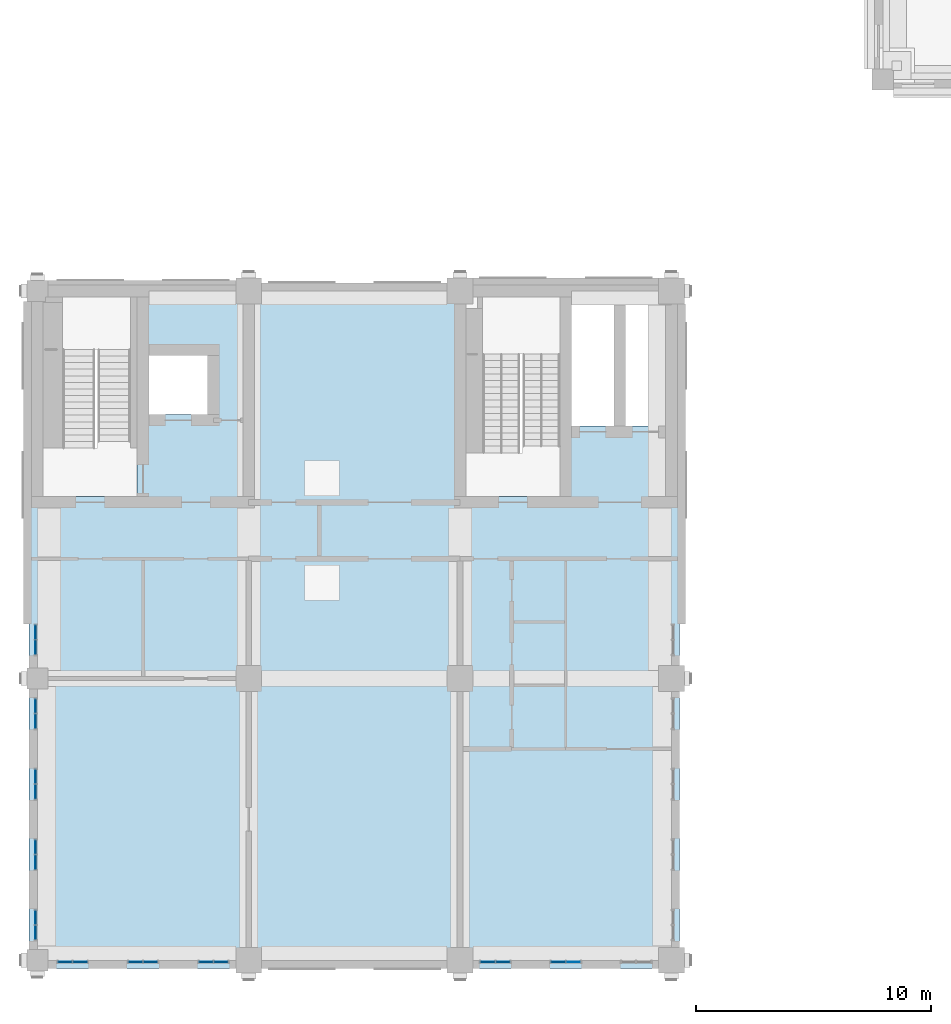
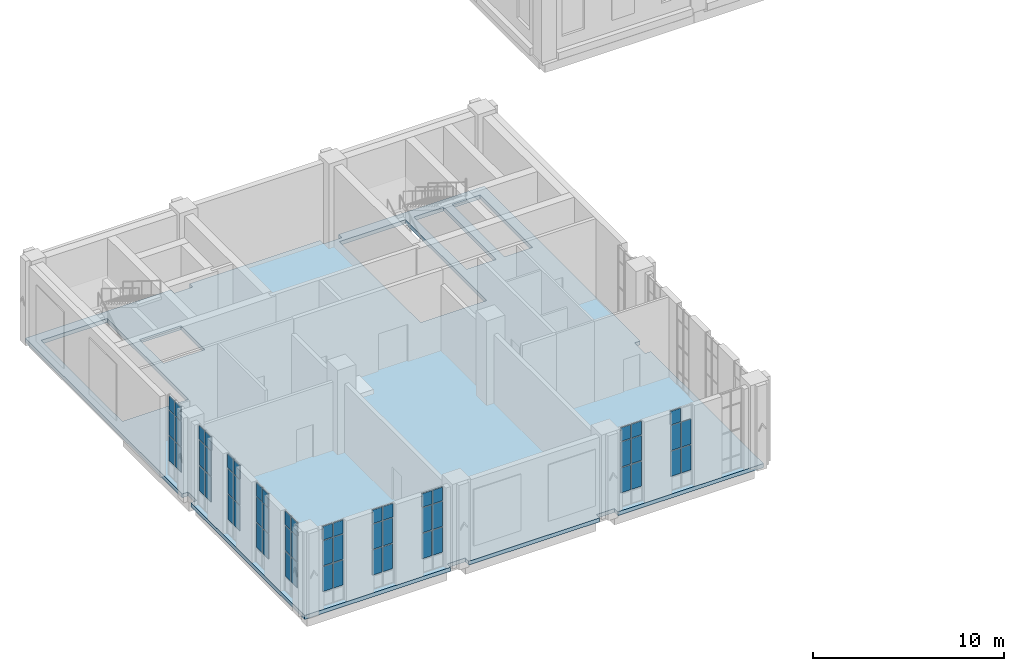
# One storey, part 9 of 22: 59 plates, 1 slab, 10 elements without a shape of their own.
"""IFC4 building model written with IfcOpenShell, lengths in metres."""

from ifc_helpers import new_model, si_unit, direction, frame, origin, origin_2d, place, context, subcontext, project, spatial, polyline, rectangle, outline, extrude, material, layer, layer_set, type_object, element, aggregate, save


model = new_model("IFC4")

# Units and contexts
model_context = context("Model", 3, precision=1e-05, world=origin(), true_north=direction((0.0, 1.0)))
body_context = subcontext(model_context, "Body", "Model", "MODEL_VIEW")
ifc_project = project(units=[si_unit("LENGTHUNIT", "METRE"), si_unit("AREAUNIT", "SQUARE_METRE"), si_unit("VOLUMEUNIT", "CUBIC_METRE"), si_unit("PLANEANGLEUNIT", "RADIAN"), si_unit("MASSUNIT", "GRAM", prefix="KILO")], contexts=[model_context])

# Site, building, storey
site_placement = place(None, origin())
site = spatial("IfcSite", under=ifc_project, at=site_placement, CompositionType="ELEMENT")
building_placement = place(site_placement, origin())
building = spatial("IfcBuilding", under=site, at=building_placement, Name="Aurelan Courthouse", CompositionType="ELEMENT")
storey_placement = place(building_placement, frame((0.0, 0.0, 39.0)))
storey = spatial("IfcBuildingStorey", under=building, at=storey_placement, Name="L07", CompositionType="ELEMENT", Elevation=39.0)

# Curtain wall, plates
ifc_material_1 = material(Name="Bronze-finished aluminium and glass", Category="aluminium")
ifc_layer_1 = layer(ifc_material_1, 0.14990234375)
ifc_layer_set_1 = layer_set([ifc_layer_1], Name="Bronze-finished aluminium and glass")
curtain_wall_type = type_object("IfcCurtainWallType", Name="Curtain wall 1350 x 5150", PredefinedType="NOTDEFINED", material=ifc_layer_set_1)
curtain_wall_1_placement = place(storey_placement, origin())
curtain_wall_1 = element("IfcCurtainWall", 1, at=curtain_wall_1_placement, inside=storey, type_object=curtain_wall_type, Name="Curtain wall CW-V5-L07-S01", PredefinedType="NOTDEFINED")
ifc_material_2 = material(Name="Limestone cladding", Category="masonry")
ifc_layer_2 = layer(ifc_material_2, 0.0400390625, Name="Facing")
ifc_material_3 = material(Name="Bronze sheet cladding", Category="bronze")
ifc_layer_3 = layer(ifc_material_3, 0.02001953125, Name="Back sheet")
ifc_layer_set_2 = layer_set([ifc_layer_2, ifc_layer_3], Name="Limestone cladding")
plate_type_1 = type_object("IfcPlateType", Name="Limestone spandrel panel with bronze back sheet 60", PredefinedType="CURTAIN_PANEL", material=ifc_layer_set_2)
plate_1_placement = place(storey_placement, frame((1.177490234375, -0.074951171875, 4.22998046875), z_axis=(0.0, 0.0, 1.0), x_axis=(1.0, 0.0, 0.0)))
plate_1 = element("IfcPlate", 2, at=plate_1_placement, type_object=plate_type_1, Name="CW-V5-L07-S01 spandrel panel 1.4", PredefinedType="CURTAIN_PANEL", context=body_context, shape_type="SweptSolid", body=[
    extrude(rectangle(XDim=0.5849609375, YDim=0.06005859375, at=origin_2d()), origin(), (0.0, 0.0, 1.0), 0.860107421875),
])
plate_2_placement = place(storey_placement, frame((1.822509765625, -0.074951171875, 4.22998046875), z_axis=(0.0, 0.0, 1.0), x_axis=(1.0, 0.0, 0.0)))
plate_2 = element("IfcPlate", 3, at=plate_2_placement, type_object=plate_type_1, Name="CW-V5-L07-S01 spandrel panel 2.4", PredefinedType="CURTAIN_PANEL", context=body_context, shape_type="SweptSolid", body=[
    extrude(rectangle(XDim=0.5849609375, YDim=0.06005859375, at=origin_2d()), origin(), (0.0, 0.0, 1.0), 0.860107421875),
])

curtain_wall_2_placement = place(storey_placement, origin())
curtain_wall_2 = element("IfcCurtainWall", 4, at=curtain_wall_2_placement, inside=storey, type_object=curtain_wall_type, Name="Curtain wall CW-V5-L07-S02", PredefinedType="NOTDEFINED")
plate_3_placement = place(storey_placement, frame((4.177490234375, -0.074951171875, 4.22998046875), z_axis=(0.0, 0.0, 1.0), x_axis=(1.0, 0.0, 0.0)))
plate_3 = element("IfcPlate", 5, at=plate_3_placement, type_object=plate_type_1, Name="CW-V5-L07-S02 spandrel panel 1.4", PredefinedType="CURTAIN_PANEL", context=body_context, shape_type="SweptSolid", body=[
    extrude(rectangle(XDim=0.5849609375, YDim=0.06005859375, at=origin_2d()), origin(), (0.0, 0.0, 1.0), 0.860107421875),
])
plate_4_placement = place(storey_placement, frame((4.822509765625, -0.074951171875, 4.22998046875), z_axis=(0.0, 0.0, 1.0), x_axis=(1.0, 0.0, 0.0)))
plate_4 = element("IfcPlate", 6, at=plate_4_placement, type_object=plate_type_1, Name="CW-V5-L07-S02 spandrel panel 2.4", PredefinedType="CURTAIN_PANEL", context=body_context, shape_type="SweptSolid", body=[
    extrude(rectangle(XDim=0.5849609375, YDim=0.06005859375, at=origin_2d()), origin(), (0.0, 0.0, 1.0), 0.860107421875),
])

curtain_wall_3_placement = place(storey_placement, origin())
curtain_wall_3 = element("IfcCurtainWall", 7, at=curtain_wall_3_placement, inside=storey, type_object=curtain_wall_type, Name="Curtain wall CW-V5-L07-S03", PredefinedType="NOTDEFINED")
plate_5_placement = place(storey_placement, frame((7.177490234375, -0.074951171875, 4.22998046875), z_axis=(0.0, 0.0, 1.0), x_axis=(1.0, 0.0, 0.0)))
plate_5 = element("IfcPlate", 8, at=plate_5_placement, type_object=plate_type_1, Name="CW-V5-L07-S03 spandrel panel 1.4", PredefinedType="CURTAIN_PANEL", context=body_context, shape_type="SweptSolid", body=[
    extrude(rectangle(XDim=0.5849609375, YDim=0.06005859375, at=origin_2d()), origin(), (0.0, 0.0, 1.0), 0.860107421875),
])
plate_6_placement = place(storey_placement, frame((7.822509765625, -0.074951171875, 4.22998046875), z_axis=(0.0, 0.0, 1.0), x_axis=(1.0, 0.0, 0.0)))
plate_6 = element("IfcPlate", 9, at=plate_6_placement, type_object=plate_type_1, Name="CW-V5-L07-S03 spandrel panel 2.4", PredefinedType="CURTAIN_PANEL", context=body_context, shape_type="SweptSolid", body=[
    extrude(rectangle(XDim=0.5849609375, YDim=0.06005859375, at=origin_2d()), origin(), (0.0, 0.0, 1.0), 0.860107421875),
])

curtain_wall_4_placement = place(storey_placement, origin())
curtain_wall_4 = element("IfcCurtainWall", 10, at=curtain_wall_4_placement, inside=storey, type_object=curtain_wall_type, Name="Curtain wall CW-V5-L07-S04", PredefinedType="NOTDEFINED")
plate_7_placement = place(storey_placement, frame((19.177490234375, -0.074951171875, 4.22998046875), z_axis=(0.0, 0.0, 1.0), x_axis=(1.0, 0.0, 0.0)))
plate_7 = element("IfcPlate", 11, at=plate_7_placement, type_object=plate_type_1, Name="CW-V5-L07-S04 spandrel panel 1.4", PredefinedType="CURTAIN_PANEL", context=body_context, shape_type="SweptSolid", body=[
    extrude(rectangle(XDim=0.5849609375, YDim=0.06005859375, at=origin_2d()), origin(), (0.0, 0.0, 1.0), 0.860107421875),
])
plate_8_placement = place(storey_placement, frame((19.822509765625, -0.074951171875, 4.22998046875), z_axis=(0.0, 0.0, 1.0), x_axis=(1.0, 0.0, 0.0)))
plate_8 = element("IfcPlate", 12, at=plate_8_placement, type_object=plate_type_1, Name="CW-V5-L07-S04 spandrel panel 2.4", PredefinedType="CURTAIN_PANEL", context=body_context, shape_type="SweptSolid", body=[
    extrude(rectangle(XDim=0.5849609375, YDim=0.06005859375, at=origin_2d()), origin(), (0.0, 0.0, 1.0), 0.860107421875),
])

# Curtain wall, plate
curtain_wall_5_placement = place(storey_placement, origin())
curtain_wall_5 = element("IfcCurtainWall", 13, at=curtain_wall_5_placement, inside=storey, type_object=curtain_wall_type, Name="Curtain wall CW-V5-L07-S05", PredefinedType="NOTDEFINED")
plate_9_placement = place(storey_placement, frame((22.177490234375, -0.074951171875, 4.22998046875), z_axis=(0.0, 0.0, 1.0), x_axis=(1.0, 0.0, 0.0)))
plate_9 = element("IfcPlate", 14, at=plate_9_placement, type_object=plate_type_1, Name="CW-V5-L07-S05 spandrel panel 1.4", PredefinedType="CURTAIN_PANEL", context=body_context, shape_type="SweptSolid", body=[
    extrude(rectangle(XDim=0.5849609375, YDim=0.06005859375, at=origin_2d()), origin(), (0.0, 0.0, 1.0), 0.860107421875),
])

# Curtain wall, plates
curtain_wall_6_placement = place(storey_placement, origin())
curtain_wall_6 = element("IfcCurtainWall", 15, at=curtain_wall_6_placement, inside=storey, type_object=curtain_wall_type, Name="Curtain wall CW-V5-L07-W01", PredefinedType="NOTDEFINED")
plate_10_placement = place(storey_placement, frame((-0.074951171875, 1.177490234375, 4.22998046875), z_axis=(0.0, 0.0, 1.0), x_axis=(0.0, 1.0, 0.0)))
plate_10 = element("IfcPlate", 16, at=plate_10_placement, type_object=plate_type_1, Name="CW-V5-L07-W01 spandrel panel 1.4", PredefinedType="CURTAIN_PANEL", context=body_context, shape_type="SweptSolid", body=[
    extrude(rectangle(XDim=0.5849609375, YDim=0.06005859375, at=origin_2d()), origin(), (0.0, 0.0, 1.0), 0.860107421875),
])
plate_11_placement = place(storey_placement, frame((-0.074951171875, 1.822509765625, 4.22998046875), z_axis=(0.0, 0.0, 1.0), x_axis=(0.0, 1.0, 0.0)))
plate_11 = element("IfcPlate", 17, at=plate_11_placement, type_object=plate_type_1, Name="CW-V5-L07-W01 spandrel panel 2.4", PredefinedType="CURTAIN_PANEL", context=body_context, shape_type="SweptSolid", body=[
    extrude(rectangle(XDim=0.5849609375, YDim=0.06005859375, at=origin_2d()), origin(), (0.0, 0.0, 1.0), 0.860107421875),
])

curtain_wall_7_placement = place(storey_placement, origin())
curtain_wall_7 = element("IfcCurtainWall", 18, at=curtain_wall_7_placement, inside=storey, type_object=curtain_wall_type, Name="Curtain wall CW-V5-L07-W02", PredefinedType="NOTDEFINED")
plate_12_placement = place(storey_placement, frame((-0.074951171875, 4.177490234375, 4.22998046875), z_axis=(0.0, 0.0, 1.0), x_axis=(0.0, 1.0, 0.0)))
plate_12 = element("IfcPlate", 19, at=plate_12_placement, type_object=plate_type_1, Name="CW-V5-L07-W02 spandrel panel 1.4", PredefinedType="CURTAIN_PANEL", context=body_context, shape_type="SweptSolid", body=[
    extrude(rectangle(XDim=0.5849609375, YDim=0.06005859375, at=origin_2d()), origin(), (0.0, 0.0, 1.0), 0.860107421875),
])
plate_13_placement = place(storey_placement, frame((-0.074951171875, 4.822509765625, 4.22998046875), z_axis=(0.0, 0.0, 1.0), x_axis=(0.0, 1.0, 0.0)))
plate_13 = element("IfcPlate", 20, at=plate_13_placement, type_object=plate_type_1, Name="CW-V5-L07-W02 spandrel panel 2.4", PredefinedType="CURTAIN_PANEL", context=body_context, shape_type="SweptSolid", body=[
    extrude(rectangle(XDim=0.5849609375, YDim=0.06005859375, at=origin_2d()), origin(), (0.0, 0.0, 1.0), 0.860107421875),
])

curtain_wall_8_placement = place(storey_placement, origin())
curtain_wall_8 = element("IfcCurtainWall", 21, at=curtain_wall_8_placement, inside=storey, type_object=curtain_wall_type, Name="Curtain wall CW-V5-L07-W03", PredefinedType="NOTDEFINED")
plate_14_placement = place(storey_placement, frame((-0.074951171875, 7.177490234375, 4.22998046875), z_axis=(0.0, 0.0, 1.0), x_axis=(0.0, 1.0, 0.0)))
plate_14 = element("IfcPlate", 22, at=plate_14_placement, type_object=plate_type_1, Name="CW-V5-L07-W03 spandrel panel 1.4", PredefinedType="CURTAIN_PANEL", context=body_context, shape_type="SweptSolid", body=[
    extrude(rectangle(XDim=0.5849609375, YDim=0.06005859375, at=origin_2d()), origin(), (0.0, 0.0, 1.0), 0.860107421875),
])
plate_15_placement = place(storey_placement, frame((-0.074951171875, 7.822509765625, 4.22998046875), z_axis=(0.0, 0.0, 1.0), x_axis=(0.0, 1.0, 0.0)))
plate_15 = element("IfcPlate", 23, at=plate_15_placement, type_object=plate_type_1, Name="CW-V5-L07-W03 spandrel panel 2.4", PredefinedType="CURTAIN_PANEL", context=body_context, shape_type="SweptSolid", body=[
    extrude(rectangle(XDim=0.5849609375, YDim=0.06005859375, at=origin_2d()), origin(), (0.0, 0.0, 1.0), 0.860107421875),
])

curtain_wall_9_placement = place(storey_placement, origin())
curtain_wall_9 = element("IfcCurtainWall", 24, at=curtain_wall_9_placement, inside=storey, type_object=curtain_wall_type, Name="Curtain wall CW-V5-L07-W04", PredefinedType="NOTDEFINED")
plate_16_placement = place(storey_placement, frame((-0.074951171875, 10.177490234375, 4.22998046875), z_axis=(0.0, 0.0, 1.0), x_axis=(0.0, 1.0, 0.0)))
plate_16 = element("IfcPlate", 25, at=plate_16_placement, type_object=plate_type_1, Name="CW-V5-L07-W04 spandrel panel 1.4", PredefinedType="CURTAIN_PANEL", context=body_context, shape_type="SweptSolid", body=[
    extrude(rectangle(XDim=0.5849609375, YDim=0.06005859375, at=origin_2d()), origin(), (0.0, 0.0, 1.0), 0.860107421875),
])
plate_17_placement = place(storey_placement, frame((-0.074951171875, 10.822509765625, 4.22998046875), z_axis=(0.0, 0.0, 1.0), x_axis=(0.0, 1.0, 0.0)))
plate_17 = element("IfcPlate", 26, at=plate_17_placement, type_object=plate_type_1, Name="CW-V5-L07-W04 spandrel panel 2.4", PredefinedType="CURTAIN_PANEL", context=body_context, shape_type="SweptSolid", body=[
    extrude(rectangle(XDim=0.5849609375, YDim=0.06005859375, at=origin_2d()), origin(), (0.0, 0.0, 1.0), 0.860107421875),
])

curtain_wall_10_placement = place(storey_placement, origin())
curtain_wall_10 = element("IfcCurtainWall", 27, at=curtain_wall_10_placement, inside=storey, type_object=curtain_wall_type, Name="Curtain wall CW-V5-L07-W05", PredefinedType="NOTDEFINED")
plate_18_placement = place(storey_placement, frame((-0.074951171875, 13.327392578125, 4.22998046875), z_axis=(0.0, 0.0, 1.0), x_axis=(0.0, 1.0, 0.0)))
plate_18 = element("IfcPlate", 28, at=plate_18_placement, type_object=plate_type_1, Name="CW-V5-L07-W05 spandrel panel 1.4", PredefinedType="CURTAIN_PANEL", context=body_context, shape_type="SweptSolid", body=[
    extrude(rectangle(XDim=0.5849609375, YDim=0.06005859375, at=origin_2d()), origin(), (0.0, 0.0, 1.0), 0.860107421875),
])
plate_19_placement = place(storey_placement, frame((-0.074951171875, 13.972412109375, 4.22998046875), z_axis=(0.0, 0.0, 1.0), x_axis=(0.0, 1.0, 0.0)))
plate_19 = element("IfcPlate", 29, at=plate_19_placement, type_object=plate_type_1, Name="CW-V5-L07-W05 spandrel panel 2.4", PredefinedType="CURTAIN_PANEL", context=body_context, shape_type="SweptSolid", body=[
    extrude(rectangle(XDim=0.5849609375, YDim=0.06005859375, at=origin_2d()), origin(), (0.0, 0.0, 1.0), 0.860107421875),
])

# Slab
ifc_material_4 = material(Name="Concrete C40", Category="concrete")
ifc_layer_4 = layer(ifc_material_4, 0.25)
ifc_layer_set_3 = layer_set([ifc_layer_4], Name="Concrete C40")
slab_type = type_object("IfcSlabType", Name="PT floor slab 250", PredefinedType="FLOOR", material=ifc_layer_set_3)
slab_placement = place(storey_placement, frame((0.0, 0.0, -0.25)))
element("IfcSlab", 30, at=slab_placement, inside=storey, type_object=slab_type, Name="Floor slab SL-L07-02", PredefinedType="FLOOR", context=body_context, shape_type="SweptSolid", body=[
    extrude(outline(polyline([(0.0, 12.449951171875), (0.0, 11.550048828125), (-0.35009765625, 11.550048828125), (-0.35009765625, 0.449951171875), (-0.35009765625, -0.35009765625), (0.449951171875, -0.35009765625), (8.449951171875, -0.35009765625), (8.449951171875, 0.0), (9.550048828125, 0.0), (9.550048828125, -0.35009765625), (17.449951171875, -0.35009765625), (17.449951171875, 0.0), (18.550048828125, 0.0), (18.550048828125, -0.35009765625), (26.449951171875, -0.35009765625), (27.35009765625, -0.35009765625), (27.35009765625, 0.550048828125), (27.35009765625, 11.449951171875), (27.0, 11.449951171875), (27.0, 12.550048828125), (27.35009765625, 12.550048828125), (27.35009765625, 27.949951171875), (27.35009765625, 28.85009765625), (26.449951171875, 28.85009765625), (18.550048828125, 28.85009765625), (18.550048828125, 28.5), (17.449951171875, 28.5), (17.449951171875, 28.85009765625), (9.550048828125, 28.85009765625), (9.550048828125, 28.5), (8.449951171875, 28.5), (8.449951171875, 28.85009765625), (0.449951171875, 28.85009765625), (-0.35009765625, 28.85009765625), (-0.35009765625, 28.050048828125), (-0.35009765625, 12.449951171875), (0.0, 12.449951171875)]), holes=[polyline([(26.75, 28.25), (26.75, 22.75), (25.050048828125, 22.75), (25.050048828125, 28.25), (26.75, 28.25)]), polyline([(22.75, 28.25), (24.550048828125, 28.25), (24.550048828125, 22.75), (22.75, 22.75), (22.75, 28.25)]), polyline([(22.25, 28.25), (22.25, 19.75), (18.25, 19.75), (18.25, 28.25), (22.25, 28.25)]), polyline([(4.75, 23.25), (4.75, 25.75), (7.25, 25.75), (7.25, 23.25), (4.75, 23.25)]), polyline([(4.25, 19.75), (0.25, 19.75), (0.25, 28.25), (4.25, 28.25), (4.25, 19.75)])]), origin(), (0.0, 0.0, 1.0), 0.25),
])

# Plate
ifc_material_5 = material(Name="Laminated low-emissivity glass", Category="glass")
ifc_layer_5 = layer(ifc_material_5, 0.028076171875)
ifc_layer_set_4 = layer_set([ifc_layer_5], Name="Laminated low-emissivity glass")
plate_type_2 = type_object("IfcPlateType", Name="Vision glass panel 28", PredefinedType="CURTAIN_PANEL", material=ifc_layer_set_4)
plate_20_placement = place(storey_placement, frame((1.177490234375, -0.074951171875, 0.93017578125), z_axis=(0.0, 0.0, 1.0), x_axis=(1.0, 0.0, 0.0)))
plate_20 = element("IfcPlate", 31, at=plate_20_placement, type_object=plate_type_2, Name="CW-V5-L07-S01 vision panel 1.2", PredefinedType="CURTAIN_PANEL", context=body_context, shape_type="SweptSolid", body=[
    extrude(rectangle(XDim=0.5849609375, YDim=0.028076171875, at=origin_2d()), origin(), (0.0, 0.0, 1.0), 1.590087890625),
])

plate_21_placement = place(storey_placement, frame((1.177490234375, -0.074951171875, 2.580078125), z_axis=(0.0, 0.0, 1.0), x_axis=(1.0, 0.0, 0.0)))
plate_21 = element("IfcPlate", 32, at=plate_21_placement, type_object=plate_type_2, Name="CW-V5-L07-S01 vision panel 1.3", PredefinedType="CURTAIN_PANEL", context=body_context, shape_type="SweptSolid", body=[
    extrude(rectangle(XDim=0.5849609375, YDim=0.028076171875, at=origin_2d()), origin(), (0.0, 0.0, 1.0), 1.590087890625),
])

plate_22_placement = place(storey_placement, frame((1.822509765625, -0.074951171875, 0.93017578125), z_axis=(0.0, 0.0, 1.0), x_axis=(1.0, 0.0, 0.0)))
plate_22 = element("IfcPlate", 33, at=plate_22_placement, type_object=plate_type_2, Name="CW-V5-L07-S01 vision panel 2.2", PredefinedType="CURTAIN_PANEL", context=body_context, shape_type="SweptSolid", body=[
    extrude(rectangle(XDim=0.5849609375, YDim=0.028076171875, at=origin_2d()), origin(), (0.0, 0.0, 1.0), 1.590087890625),
])

plate_23_placement = place(storey_placement, frame((1.822509765625, -0.074951171875, 2.580078125), z_axis=(0.0, 0.0, 1.0), x_axis=(1.0, 0.0, 0.0)))
plate_23 = element("IfcPlate", 34, at=plate_23_placement, type_object=plate_type_2, Name="CW-V5-L07-S01 vision panel 2.3", PredefinedType="CURTAIN_PANEL", context=body_context, shape_type="SweptSolid", body=[
    extrude(rectangle(XDim=0.5849609375, YDim=0.028076171875, at=origin_2d()), origin(), (0.0, 0.0, 1.0), 1.590087890625),
])

aggregate(curtain_wall_1, [plate_20, plate_21, plate_1, plate_22, plate_23, plate_2])

plate_24_placement = place(storey_placement, frame((4.177490234375, -0.074951171875, 0.93017578125), z_axis=(0.0, 0.0, 1.0), x_axis=(1.0, 0.0, 0.0)))
plate_24 = element("IfcPlate", 35, at=plate_24_placement, type_object=plate_type_2, Name="CW-V5-L07-S02 vision panel 1.2", PredefinedType="CURTAIN_PANEL", context=body_context, shape_type="SweptSolid", body=[
    extrude(rectangle(XDim=0.5849609375, YDim=0.028076171875, at=origin_2d()), origin(), (0.0, 0.0, 1.0), 1.590087890625),
])

plate_25_placement = place(storey_placement, frame((4.177490234375, -0.074951171875, 2.580078125), z_axis=(0.0, 0.0, 1.0), x_axis=(1.0, 0.0, 0.0)))
plate_25 = element("IfcPlate", 36, at=plate_25_placement, type_object=plate_type_2, Name="CW-V5-L07-S02 vision panel 1.3", PredefinedType="CURTAIN_PANEL", context=body_context, shape_type="SweptSolid", body=[
    extrude(rectangle(XDim=0.5849609375, YDim=0.028076171875, at=origin_2d()), origin(), (0.0, 0.0, 1.0), 1.590087890625),
])

plate_26_placement = place(storey_placement, frame((4.822509765625, -0.074951171875, 0.93017578125), z_axis=(0.0, 0.0, 1.0), x_axis=(1.0, 0.0, 0.0)))
plate_26 = element("IfcPlate", 37, at=plate_26_placement, type_object=plate_type_2, Name="CW-V5-L07-S02 vision panel 2.2", PredefinedType="CURTAIN_PANEL", context=body_context, shape_type="SweptSolid", body=[
    extrude(rectangle(XDim=0.5849609375, YDim=0.028076171875, at=origin_2d()), origin(), (0.0, 0.0, 1.0), 1.590087890625),
])

plate_27_placement = place(storey_placement, frame((4.822509765625, -0.074951171875, 2.580078125), z_axis=(0.0, 0.0, 1.0), x_axis=(1.0, 0.0, 0.0)))
plate_27 = element("IfcPlate", 38, at=plate_27_placement, type_object=plate_type_2, Name="CW-V5-L07-S02 vision panel 2.3", PredefinedType="CURTAIN_PANEL", context=body_context, shape_type="SweptSolid", body=[
    extrude(rectangle(XDim=0.5849609375, YDim=0.028076171875, at=origin_2d()), origin(), (0.0, 0.0, 1.0), 1.590087890625),
])

aggregate(curtain_wall_2, [plate_24, plate_25, plate_3, plate_26, plate_27, plate_4])

plate_28_placement = place(storey_placement, frame((7.177490234375, -0.074951171875, 0.93017578125), z_axis=(0.0, 0.0, 1.0), x_axis=(1.0, 0.0, 0.0)))
plate_28 = element("IfcPlate", 39, at=plate_28_placement, type_object=plate_type_2, Name="CW-V5-L07-S03 vision panel 1.2", PredefinedType="CURTAIN_PANEL", context=body_context, shape_type="SweptSolid", body=[
    extrude(rectangle(XDim=0.5849609375, YDim=0.028076171875, at=origin_2d()), origin(), (0.0, 0.0, 1.0), 1.590087890625),
])

plate_29_placement = place(storey_placement, frame((7.177490234375, -0.074951171875, 2.580078125), z_axis=(0.0, 0.0, 1.0), x_axis=(1.0, 0.0, 0.0)))
plate_29 = element("IfcPlate", 40, at=plate_29_placement, type_object=plate_type_2, Name="CW-V5-L07-S03 vision panel 1.3", PredefinedType="CURTAIN_PANEL", context=body_context, shape_type="SweptSolid", body=[
    extrude(rectangle(XDim=0.5849609375, YDim=0.028076171875, at=origin_2d()), origin(), (0.0, 0.0, 1.0), 1.590087890625),
])

plate_30_placement = place(storey_placement, frame((7.822509765625, -0.074951171875, 0.93017578125), z_axis=(0.0, 0.0, 1.0), x_axis=(1.0, 0.0, 0.0)))
plate_30 = element("IfcPlate", 41, at=plate_30_placement, type_object=plate_type_2, Name="CW-V5-L07-S03 vision panel 2.2", PredefinedType="CURTAIN_PANEL", context=body_context, shape_type="SweptSolid", body=[
    extrude(rectangle(XDim=0.5849609375, YDim=0.028076171875, at=origin_2d()), origin(), (0.0, 0.0, 1.0), 1.590087890625),
])

plate_31_placement = place(storey_placement, frame((7.822509765625, -0.074951171875, 2.580078125), z_axis=(0.0, 0.0, 1.0), x_axis=(1.0, 0.0, 0.0)))
plate_31 = element("IfcPlate", 42, at=plate_31_placement, type_object=plate_type_2, Name="CW-V5-L07-S03 vision panel 2.3", PredefinedType="CURTAIN_PANEL", context=body_context, shape_type="SweptSolid", body=[
    extrude(rectangle(XDim=0.5849609375, YDim=0.028076171875, at=origin_2d()), origin(), (0.0, 0.0, 1.0), 1.590087890625),
])

aggregate(curtain_wall_3, [plate_28, plate_29, plate_5, plate_30, plate_31, plate_6])

plate_32_placement = place(storey_placement, frame((19.177490234375, -0.074951171875, 0.93017578125), z_axis=(0.0, 0.0, 1.0), x_axis=(1.0, 0.0, 0.0)))
plate_32 = element("IfcPlate", 43, at=plate_32_placement, type_object=plate_type_2, Name="CW-V5-L07-S04 vision panel 1.2", PredefinedType="CURTAIN_PANEL", context=body_context, shape_type="SweptSolid", body=[
    extrude(rectangle(XDim=0.5849609375, YDim=0.028076171875, at=origin_2d()), origin(), (0.0, 0.0, 1.0), 1.590087890625),
])

plate_33_placement = place(storey_placement, frame((19.177490234375, -0.074951171875, 2.580078125), z_axis=(0.0, 0.0, 1.0), x_axis=(1.0, 0.0, 0.0)))
plate_33 = element("IfcPlate", 44, at=plate_33_placement, type_object=plate_type_2, Name="CW-V5-L07-S04 vision panel 1.3", PredefinedType="CURTAIN_PANEL", context=body_context, shape_type="SweptSolid", body=[
    extrude(rectangle(XDim=0.5849609375, YDim=0.028076171875, at=origin_2d()), origin(), (0.0, 0.0, 1.0), 1.590087890625),
])

plate_34_placement = place(storey_placement, frame((19.822509765625, -0.074951171875, 0.93017578125), z_axis=(0.0, 0.0, 1.0), x_axis=(1.0, 0.0, 0.0)))
plate_34 = element("IfcPlate", 45, at=plate_34_placement, type_object=plate_type_2, Name="CW-V5-L07-S04 vision panel 2.2", PredefinedType="CURTAIN_PANEL", context=body_context, shape_type="SweptSolid", body=[
    extrude(rectangle(XDim=0.5849609375, YDim=0.028076171875, at=origin_2d()), origin(), (0.0, 0.0, 1.0), 1.590087890625),
])

plate_35_placement = place(storey_placement, frame((19.822509765625, -0.074951171875, 2.580078125), z_axis=(0.0, 0.0, 1.0), x_axis=(1.0, 0.0, 0.0)))
plate_35 = element("IfcPlate", 46, at=plate_35_placement, type_object=plate_type_2, Name="CW-V5-L07-S04 vision panel 2.3", PredefinedType="CURTAIN_PANEL", context=body_context, shape_type="SweptSolid", body=[
    extrude(rectangle(XDim=0.5849609375, YDim=0.028076171875, at=origin_2d()), origin(), (0.0, 0.0, 1.0), 1.590087890625),
])

aggregate(curtain_wall_4, [plate_32, plate_33, plate_7, plate_34, plate_35, plate_8])

plate_36_placement = place(storey_placement, frame((22.177490234375, -0.074951171875, 0.93017578125), z_axis=(0.0, 0.0, 1.0), x_axis=(1.0, 0.0, 0.0)))
plate_36 = element("IfcPlate", 47, at=plate_36_placement, type_object=plate_type_2, Name="CW-V5-L07-S05 vision panel 1.2", PredefinedType="CURTAIN_PANEL", context=body_context, shape_type="SweptSolid", body=[
    extrude(rectangle(XDim=0.5849609375, YDim=0.028076171875, at=origin_2d()), origin(), (0.0, 0.0, 1.0), 1.590087890625),
])

plate_37_placement = place(storey_placement, frame((22.177490234375, -0.074951171875, 2.580078125), z_axis=(0.0, 0.0, 1.0), x_axis=(1.0, 0.0, 0.0)))
plate_37 = element("IfcPlate", 48, at=plate_37_placement, type_object=plate_type_2, Name="CW-V5-L07-S05 vision panel 1.3", PredefinedType="CURTAIN_PANEL", context=body_context, shape_type="SweptSolid", body=[
    extrude(rectangle(XDim=0.5849609375, YDim=0.028076171875, at=origin_2d()), origin(), (0.0, 0.0, 1.0), 1.590087890625),
])

plate_38_placement = place(storey_placement, frame((22.822509765625, -0.074951171875, 0.93017578125), z_axis=(0.0, 0.0, 1.0), x_axis=(1.0, 0.0, 0.0)))
plate_38 = element("IfcPlate", 49, at=plate_38_placement, type_object=plate_type_2, Name="CW-V5-L07-S05 vision panel 2.2", PredefinedType="CURTAIN_PANEL", context=body_context, shape_type="SweptSolid", body=[
    extrude(rectangle(XDim=0.5849609375, YDim=0.028076171875, at=origin_2d()), origin(), (0.0, 0.0, 1.0), 1.590087890625),
])

plate_39_placement = place(storey_placement, frame((22.822509765625, -0.074951171875, 2.580078125), z_axis=(0.0, 0.0, 1.0), x_axis=(1.0, 0.0, 0.0)))
plate_39 = element("IfcPlate", 50, at=plate_39_placement, type_object=plate_type_2, Name="CW-V5-L07-S05 vision panel 2.3", PredefinedType="CURTAIN_PANEL", context=body_context, shape_type="SweptSolid", body=[
    extrude(rectangle(XDim=0.5849609375, YDim=0.028076171875, at=origin_2d()), origin(), (0.0, 0.0, 1.0), 1.590087890625),
])

aggregate(curtain_wall_5, [plate_36, plate_37, plate_9, plate_38, plate_39])

plate_40_placement = place(storey_placement, frame((-0.074951171875, 1.177490234375, 0.93017578125), z_axis=(0.0, 0.0, 1.0), x_axis=(0.0, 1.0, 0.0)))
plate_40 = element("IfcPlate", 51, at=plate_40_placement, type_object=plate_type_2, Name="CW-V5-L07-W01 vision panel 1.2", PredefinedType="CURTAIN_PANEL", context=body_context, shape_type="SweptSolid", body=[
    extrude(rectangle(XDim=0.5849609375, YDim=0.028076171875, at=origin_2d()), origin(), (0.0, 0.0, 1.0), 1.590087890625),
])

plate_41_placement = place(storey_placement, frame((-0.074951171875, 1.177490234375, 2.580078125), z_axis=(0.0, 0.0, 1.0), x_axis=(0.0, 1.0, 0.0)))
plate_41 = element("IfcPlate", 52, at=plate_41_placement, type_object=plate_type_2, Name="CW-V5-L07-W01 vision panel 1.3", PredefinedType="CURTAIN_PANEL", context=body_context, shape_type="SweptSolid", body=[
    extrude(rectangle(XDim=0.5849609375, YDim=0.028076171875, at=origin_2d()), origin(), (0.0, 0.0, 1.0), 1.590087890625),
])

plate_42_placement = place(storey_placement, frame((-0.074951171875, 1.822509765625, 0.93017578125), z_axis=(0.0, 0.0, 1.0), x_axis=(0.0, 1.0, 0.0)))
plate_42 = element("IfcPlate", 53, at=plate_42_placement, type_object=plate_type_2, Name="CW-V5-L07-W01 vision panel 2.2", PredefinedType="CURTAIN_PANEL", context=body_context, shape_type="SweptSolid", body=[
    extrude(rectangle(XDim=0.5849609375, YDim=0.028076171875, at=origin_2d()), origin(), (0.0, 0.0, 1.0), 1.590087890625),
])

plate_43_placement = place(storey_placement, frame((-0.074951171875, 1.822509765625, 2.580078125), z_axis=(0.0, 0.0, 1.0), x_axis=(0.0, 1.0, 0.0)))
plate_43 = element("IfcPlate", 54, at=plate_43_placement, type_object=plate_type_2, Name="CW-V5-L07-W01 vision panel 2.3", PredefinedType="CURTAIN_PANEL", context=body_context, shape_type="SweptSolid", body=[
    extrude(rectangle(XDim=0.5849609375, YDim=0.028076171875, at=origin_2d()), origin(), (0.0, 0.0, 1.0), 1.590087890625),
])

aggregate(curtain_wall_6, [plate_40, plate_41, plate_10, plate_42, plate_43, plate_11])

plate_44_placement = place(storey_placement, frame((-0.074951171875, 4.177490234375, 0.93017578125), z_axis=(0.0, 0.0, 1.0), x_axis=(0.0, 1.0, 0.0)))
plate_44 = element("IfcPlate", 55, at=plate_44_placement, type_object=plate_type_2, Name="CW-V5-L07-W02 vision panel 1.2", PredefinedType="CURTAIN_PANEL", context=body_context, shape_type="SweptSolid", body=[
    extrude(rectangle(XDim=0.5849609375, YDim=0.028076171875, at=origin_2d()), origin(), (0.0, 0.0, 1.0), 1.590087890625),
])

plate_45_placement = place(storey_placement, frame((-0.074951171875, 4.177490234375, 2.580078125), z_axis=(0.0, 0.0, 1.0), x_axis=(0.0, 1.0, 0.0)))
plate_45 = element("IfcPlate", 56, at=plate_45_placement, type_object=plate_type_2, Name="CW-V5-L07-W02 vision panel 1.3", PredefinedType="CURTAIN_PANEL", context=body_context, shape_type="SweptSolid", body=[
    extrude(rectangle(XDim=0.5849609375, YDim=0.028076171875, at=origin_2d()), origin(), (0.0, 0.0, 1.0), 1.590087890625),
])

plate_46_placement = place(storey_placement, frame((-0.074951171875, 4.822509765625, 0.93017578125), z_axis=(0.0, 0.0, 1.0), x_axis=(0.0, 1.0, 0.0)))
plate_46 = element("IfcPlate", 57, at=plate_46_placement, type_object=plate_type_2, Name="CW-V5-L07-W02 vision panel 2.2", PredefinedType="CURTAIN_PANEL", context=body_context, shape_type="SweptSolid", body=[
    extrude(rectangle(XDim=0.5849609375, YDim=0.028076171875, at=origin_2d()), origin(), (0.0, 0.0, 1.0), 1.590087890625),
])

plate_47_placement = place(storey_placement, frame((-0.074951171875, 4.822509765625, 2.580078125), z_axis=(0.0, 0.0, 1.0), x_axis=(0.0, 1.0, 0.0)))
plate_47 = element("IfcPlate", 58, at=plate_47_placement, type_object=plate_type_2, Name="CW-V5-L07-W02 vision panel 2.3", PredefinedType="CURTAIN_PANEL", context=body_context, shape_type="SweptSolid", body=[
    extrude(rectangle(XDim=0.5849609375, YDim=0.028076171875, at=origin_2d()), origin(), (0.0, 0.0, 1.0), 1.590087890625),
])

aggregate(curtain_wall_7, [plate_44, plate_45, plate_12, plate_46, plate_47, plate_13])

plate_48_placement = place(storey_placement, frame((-0.074951171875, 7.177490234375, 0.93017578125), z_axis=(0.0, 0.0, 1.0), x_axis=(0.0, 1.0, 0.0)))
plate_48 = element("IfcPlate", 59, at=plate_48_placement, type_object=plate_type_2, Name="CW-V5-L07-W03 vision panel 1.2", PredefinedType="CURTAIN_PANEL", context=body_context, shape_type="SweptSolid", body=[
    extrude(rectangle(XDim=0.5849609375, YDim=0.028076171875, at=origin_2d()), origin(), (0.0, 0.0, 1.0), 1.590087890625),
])

plate_49_placement = place(storey_placement, frame((-0.074951171875, 7.177490234375, 2.580078125), z_axis=(0.0, 0.0, 1.0), x_axis=(0.0, 1.0, 0.0)))
plate_49 = element("IfcPlate", 60, at=plate_49_placement, type_object=plate_type_2, Name="CW-V5-L07-W03 vision panel 1.3", PredefinedType="CURTAIN_PANEL", context=body_context, shape_type="SweptSolid", body=[
    extrude(rectangle(XDim=0.5849609375, YDim=0.028076171875, at=origin_2d()), origin(), (0.0, 0.0, 1.0), 1.590087890625),
])

plate_50_placement = place(storey_placement, frame((-0.074951171875, 7.822509765625, 0.93017578125), z_axis=(0.0, 0.0, 1.0), x_axis=(0.0, 1.0, 0.0)))
plate_50 = element("IfcPlate", 61, at=plate_50_placement, type_object=plate_type_2, Name="CW-V5-L07-W03 vision panel 2.2", PredefinedType="CURTAIN_PANEL", context=body_context, shape_type="SweptSolid", body=[
    extrude(rectangle(XDim=0.5849609375, YDim=0.028076171875, at=origin_2d()), origin(), (0.0, 0.0, 1.0), 1.590087890625),
])

plate_51_placement = place(storey_placement, frame((-0.074951171875, 7.822509765625, 2.580078125), z_axis=(0.0, 0.0, 1.0), x_axis=(0.0, 1.0, 0.0)))
plate_51 = element("IfcPlate", 62, at=plate_51_placement, type_object=plate_type_2, Name="CW-V5-L07-W03 vision panel 2.3", PredefinedType="CURTAIN_PANEL", context=body_context, shape_type="SweptSolid", body=[
    extrude(rectangle(XDim=0.5849609375, YDim=0.028076171875, at=origin_2d()), origin(), (0.0, 0.0, 1.0), 1.590087890625),
])

aggregate(curtain_wall_8, [plate_48, plate_49, plate_14, plate_50, plate_51, plate_15])

plate_52_placement = place(storey_placement, frame((-0.074951171875, 10.177490234375, 0.93017578125), z_axis=(0.0, 0.0, 1.0), x_axis=(0.0, 1.0, 0.0)))
plate_52 = element("IfcPlate", 63, at=plate_52_placement, type_object=plate_type_2, Name="CW-V5-L07-W04 vision panel 1.2", PredefinedType="CURTAIN_PANEL", context=body_context, shape_type="SweptSolid", body=[
    extrude(rectangle(XDim=0.5849609375, YDim=0.028076171875, at=origin_2d()), origin(), (0.0, 0.0, 1.0), 1.590087890625),
])

plate_53_placement = place(storey_placement, frame((-0.074951171875, 10.177490234375, 2.580078125), z_axis=(0.0, 0.0, 1.0), x_axis=(0.0, 1.0, 0.0)))
plate_53 = element("IfcPlate", 64, at=plate_53_placement, type_object=plate_type_2, Name="CW-V5-L07-W04 vision panel 1.3", PredefinedType="CURTAIN_PANEL", context=body_context, shape_type="SweptSolid", body=[
    extrude(rectangle(XDim=0.5849609375, YDim=0.028076171875, at=origin_2d()), origin(), (0.0, 0.0, 1.0), 1.590087890625),
])

plate_54_placement = place(storey_placement, frame((-0.074951171875, 10.822509765625, 0.93017578125), z_axis=(0.0, 0.0, 1.0), x_axis=(0.0, 1.0, 0.0)))
plate_54 = element("IfcPlate", 65, at=plate_54_placement, type_object=plate_type_2, Name="CW-V5-L07-W04 vision panel 2.2", PredefinedType="CURTAIN_PANEL", context=body_context, shape_type="SweptSolid", body=[
    extrude(rectangle(XDim=0.5849609375, YDim=0.028076171875, at=origin_2d()), origin(), (0.0, 0.0, 1.0), 1.590087890625),
])

plate_55_placement = place(storey_placement, frame((-0.074951171875, 10.822509765625, 2.580078125), z_axis=(0.0, 0.0, 1.0), x_axis=(0.0, 1.0, 0.0)))
plate_55 = element("IfcPlate", 66, at=plate_55_placement, type_object=plate_type_2, Name="CW-V5-L07-W04 vision panel 2.3", PredefinedType="CURTAIN_PANEL", context=body_context, shape_type="SweptSolid", body=[
    extrude(rectangle(XDim=0.5849609375, YDim=0.028076171875, at=origin_2d()), origin(), (0.0, 0.0, 1.0), 1.590087890625),
])

aggregate(curtain_wall_9, [plate_52, plate_53, plate_16, plate_54, plate_55, plate_17])

plate_56_placement = place(storey_placement, frame((-0.074951171875, 13.327392578125, 0.93017578125), z_axis=(0.0, 0.0, 1.0), x_axis=(0.0, 1.0, 0.0)))
plate_56 = element("IfcPlate", 67, at=plate_56_placement, type_object=plate_type_2, Name="CW-V5-L07-W05 vision panel 1.2", PredefinedType="CURTAIN_PANEL", context=body_context, shape_type="SweptSolid", body=[
    extrude(rectangle(XDim=0.5849609375, YDim=0.028076171875, at=origin_2d()), origin(), (0.0, 0.0, 1.0), 1.590087890625),
])

plate_57_placement = place(storey_placement, frame((-0.074951171875, 13.327392578125, 2.580078125), z_axis=(0.0, 0.0, 1.0), x_axis=(0.0, 1.0, 0.0)))
plate_57 = element("IfcPlate", 68, at=plate_57_placement, type_object=plate_type_2, Name="CW-V5-L07-W05 vision panel 1.3", PredefinedType="CURTAIN_PANEL", context=body_context, shape_type="SweptSolid", body=[
    extrude(rectangle(XDim=0.5849609375, YDim=0.028076171875, at=origin_2d()), origin(), (0.0, 0.0, 1.0), 1.590087890625),
])

plate_58_placement = place(storey_placement, frame((-0.074951171875, 13.972412109375, 0.93017578125), z_axis=(0.0, 0.0, 1.0), x_axis=(0.0, 1.0, 0.0)))
plate_58 = element("IfcPlate", 69, at=plate_58_placement, type_object=plate_type_2, Name="CW-V5-L07-W05 vision panel 2.2", PredefinedType="CURTAIN_PANEL", context=body_context, shape_type="SweptSolid", body=[
    extrude(rectangle(XDim=0.5849609375, YDim=0.028076171875, at=origin_2d()), origin(), (0.0, 0.0, 1.0), 1.590087890625),
])

plate_59_placement = place(storey_placement, frame((-0.074951171875, 13.972412109375, 2.580078125), z_axis=(0.0, 0.0, 1.0), x_axis=(0.0, 1.0, 0.0)))
plate_59 = element("IfcPlate", 70, at=plate_59_placement, type_object=plate_type_2, Name="CW-V5-L07-W05 vision panel 2.3", PredefinedType="CURTAIN_PANEL", context=body_context, shape_type="SweptSolid", body=[
    extrude(rectangle(XDim=0.5849609375, YDim=0.028076171875, at=origin_2d()), origin(), (0.0, 0.0, 1.0), 1.590087890625),
])

aggregate(curtain_wall_10, [plate_56, plate_57, plate_18, plate_58, plate_59, plate_19])

save(model, "model.ifc")
